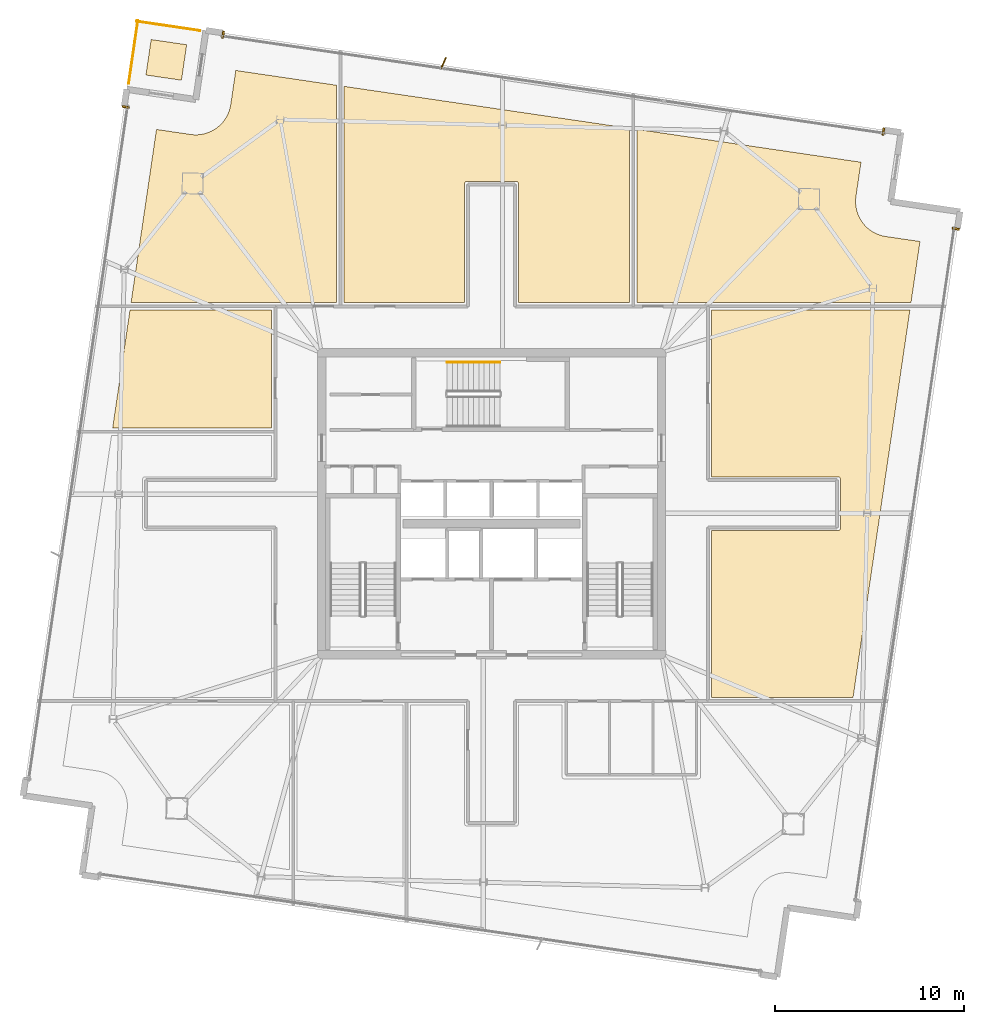
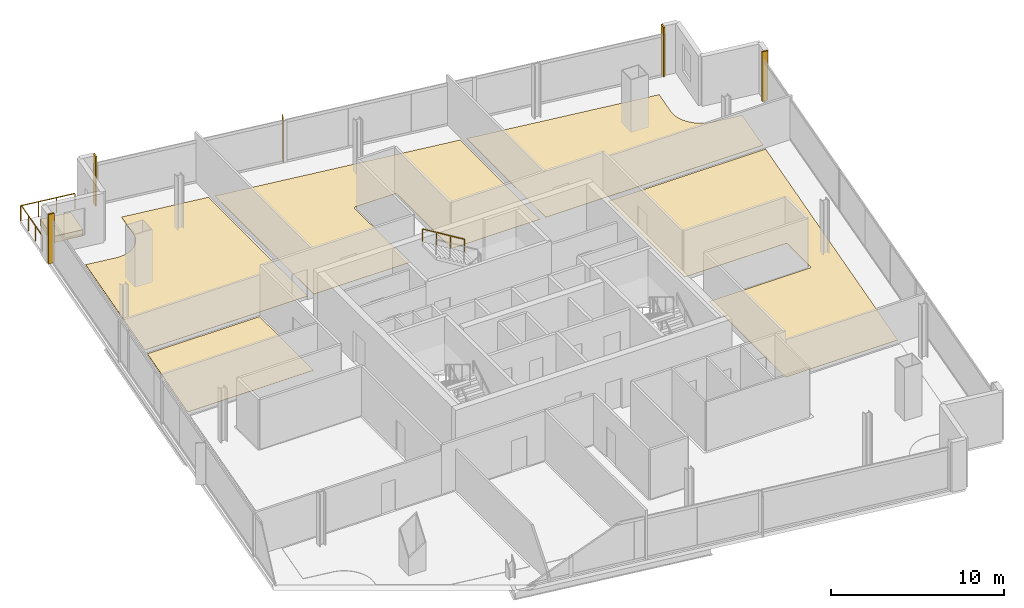
# One storey, part 22 of 22: 10 coverings, 3 railings, 1 shading device.
"""IFC4 building model written with IfcOpenShell, lengths in metres."""

from ifc_helpers import new_model, si_unit, direction, frame, origin, origin_2d, place, context, subcontext, project, spatial, polyline, rectangle, outline, extrude, source, transform, mapped, material, layer, layer_set, type_object, element, save


model = new_model("IFC4")

# Units and contexts
model_context = context("Model", 3, precision=1e-05, world=origin(), true_north=direction((0.0, 1.0)))
body_context = subcontext(model_context, "Body", "Model", "MODEL_VIEW")
ifc_project = project(units=[si_unit("LENGTHUNIT", "METRE"), si_unit("AREAUNIT", "SQUARE_METRE"), si_unit("VOLUMEUNIT", "CUBIC_METRE"), si_unit("PLANEANGLEUNIT", "RADIAN"), si_unit("MASSUNIT", "GRAM", prefix="KILO")], contexts=[model_context])

# Site, building, storey
site_placement = place(None, origin())
site = spatial("IfcSite", under=ifc_project, at=site_placement, CompositionType="ELEMENT")
building_placement = place(site_placement, origin())
building = spatial("IfcBuilding", under=site, at=building_placement, Name="Haldenkirk Collegiate Tower", CompositionType="ELEMENT")
storey_placement = place(building_placement, frame((0.0, 0.0, 302.699951171875)))
storey = spatial("IfcBuildingStorey", under=building, at=storey_placement, Name="L76", CompositionType="ELEMENT", Elevation=302.699951171875)

# Coverings
ifc_material_1 = material(Name="Polished collegiate terrazzo", Category="concrete")
ifc_layer_1 = layer(ifc_material_1, 0.02490234375)
ifc_layer_set_1 = layer_set([ifc_layer_1], Name="Polished collegiate terrazzo")
covering_type_1 = type_object("IfcCoveringType", Name="COV-FLOOR-TERRAZZO", PredefinedType="FLOORING", material=ifc_layer_set_1)
covering_1_placement = place(storey_placement, origin())
element("IfcCovering", 1, at=covering_1_placement, inside=storey, type_object=covering_type_1, Name="L76 academic room finish 04", PredefinedType="FLOORING", context=body_context, shape_type="SweptSolid", body=[
    extrude(outline(polyline([(20.0703125, 45.550537109375), (20.076171875, 45.5498046875), (20.2470703125, 45.533203125), (20.2587890625, 45.53271484375), (20.430419921875, 45.532958984375), (20.442138671875, 45.533447265625), (20.613037109375, 45.550537109375), (20.624755859375, 45.55224609375), (20.793212890625, 45.586181640625), (20.8046875, 45.589111328125), (20.968994140625, 45.63916015625), (20.97998046875, 45.64306640625), (21.138427734375, 45.708984375), (21.149169921875, 45.714111328125), (21.300537109375, 45.79541015625), (21.310546875, 45.801513671875), (21.453125, 45.89697265625), (21.462646484375, 45.904052734375), (21.59521484375, 46.01318359375), (21.60400390625, 46.02099609375), (21.725341796875, 46.142822265625), (21.733154296875, 46.151611328125), (21.841796875, 46.284423828125), (21.848876953125, 46.2939453125), (21.944091796875, 46.436767578125), (21.9501953125, 46.447021484375), (22.03076171875, 46.598388671875), (22.035888671875, 46.609130859375), (22.101318359375, 46.767822265625), (22.105224609375, 46.779052734375), (22.15478515625, 46.943359375), (22.15771484375, 46.954833984375), (22.19091796875, 47.123291015625), (22.19189453125, 47.129150390625), (22.457763671875, 48.939697265625), (27.800048828125, 48.155517578125), (27.800048828125, 36.64990234375), (16.914306640625, 36.64990234375), (18.259521484375, 45.816162109375), (20.0703125, 45.550537109375)])), origin(), (0.0, 0.0, 1.0), 0.025146484375),
])
covering_2_placement = place(storey_placement, origin())
element("IfcCovering", 2, at=covering_2_placement, inside=storey, type_object=covering_type_1, Name="L76 academic room finish 06", PredefinedType="FLOORING", context=body_context, shape_type="SweptSolid", body=[
    extrude(outline(polyline([(55.56298828125, 44.080810546875), (55.29736328125, 42.27001953125), (55.296630859375, 42.264404296875), (55.280029296875, 42.093505859375), (55.279541015625, 42.081787109375), (55.27978515625, 41.909912109375), (55.2802734375, 41.898193359375), (55.29736328125, 41.727294921875), (55.299072265625, 41.715576171875), (55.3330078125, 41.547119140625), (55.335693359375, 41.535888671875), (55.385986328125, 41.37158203125), (55.389892578125, 41.3603515625), (55.455810546875, 41.201904296875), (55.4609375, 41.19140625), (55.5419921875, 41.039794921875), (55.548095703125, 41.02978515625), (55.643798828125, 40.88720703125), (55.65087890625, 40.877685546875), (55.760009765625, 40.7451171875), (55.767822265625, 40.736328125), (55.8896484375, 40.614990234375), (55.898193359375, 40.607177734375), (56.03125, 40.49853515625), (56.040771484375, 40.491455078125), (56.18359375, 40.396240234375), (56.193603515625, 40.390380859375), (56.34521484375, 40.3095703125), (56.35595703125, 40.3046875), (56.5146484375, 40.239013671875), (56.52587890625, 40.235107421875), (56.690185546875, 40.185546875), (56.70166015625, 40.1826171875), (56.8701171875, 40.1494140625), (56.8759765625, 40.1484375), (58.6865234375, 39.8828125), (58.212158203125, 36.64990234375), (43.699951171875, 36.64990234375), (43.699951171875, 45.822021484375), (55.56298828125, 44.080810546875)])), origin(), (0.0, 0.0, 1.0), 0.025146484375),
])
covering_3_placement = place(storey_placement, origin())
element("IfcCovering", 3, at=covering_3_placement, inside=storey, type_object=covering_type_1, Name="L76 academic room finish 08", PredefinedType="FLOORING", context=body_context, shape_type="SweptSolid", body=[
    extrude(outline(polyline([(16.855712890625, 36.25), (24.35009765625, 36.25), (24.35009765625, 30.0), (15.938232421875, 30.0), (16.855712890625, 36.25)])), origin(), (0.0, 0.0, 1.0), 0.025146484375),
])
ifc_material_2 = material(Name="Engineered collegiate oak acoustic flooring", Category="wood")
ifc_layer_2 = layer(ifc_material_2, 0.02197265625)
ifc_layer_set_2 = layer_set([ifc_layer_2], Name="Engineered collegiate oak acoustic flooring")
covering_type_2 = type_object("IfcCoveringType", Name="COV-FLOOR-TIMBER", PredefinedType="FLOORING", material=ifc_layer_set_2)
covering_4_placement = place(storey_placement, origin())
element("IfcCovering", 4, at=covering_4_placement, inside=storey, type_object=covering_type_2, Name="L76 academic room finish 05", PredefinedType="FLOORING", context=body_context, shape_type="SweptSolid", body=[
    extrude(outline(polyline([(43.300048828125, 45.880615234375), (43.300048828125, 36.64990234375), (37.419921875, 36.64990234375), (37.419921875, 42.949951171875), (37.41943359375, 42.9619140625), (37.417724609375, 42.973388671875), (37.414794921875, 42.98486328125), (37.410888671875, 42.995849609375), (37.40576171875, 43.006591796875), (37.39990234375, 43.0166015625), (37.392822265625, 43.026123046875), (37.385009765625, 43.034912109375), (37.376220703125, 43.042724609375), (37.36669921875, 43.0498046875), (37.356689453125, 43.055908203125), (37.345947265625, 43.060791015625), (37.334716796875, 43.064697265625), (37.323486328125, 43.067626953125), (37.311767578125, 43.0693359375), (37.300048828125, 43.070068359375), (34.699951171875, 43.070068359375), (34.688232421875, 43.0693359375), (34.676513671875, 43.067626953125), (34.665283203125, 43.064697265625), (34.654052734375, 43.060791015625), (34.643310546875, 43.055908203125), (34.63330078125, 43.0498046875), (34.623779296875, 43.042724609375), (34.614990234375, 43.034912109375), (34.607177734375, 43.026123046875), (34.60009765625, 43.0166015625), (34.59423828125, 43.006591796875), (34.589111328125, 42.995849609375), (34.585205078125, 42.98486328125), (34.582275390625, 42.973388671875), (34.58056640625, 42.9619140625), (34.580078125, 42.949951171875), (34.580078125, 36.64990234375), (28.199951171875, 36.64990234375), (28.199951171875, 48.096923828125), (43.300048828125, 45.880615234375)])), origin(), (0.0, 0.0, 1.0), 0.02197265625),
])
covering_5_placement = place(storey_placement, origin())
element("IfcCovering", 5, at=covering_5_placement, inside=storey, type_object=covering_type_2, Name="L76 academic room finish 09", PredefinedType="FLOORING", context=body_context, shape_type="SweptSolid", body=[
    extrude(outline(polyline([(54.35009765625, 24.580078125), (54.36181640625, 24.58056640625), (54.373291015625, 24.582275390625), (54.384765625, 24.585205078125), (54.39599609375, 24.589111328125), (54.406494140625, 24.59423828125), (54.416748046875, 24.60009765625), (54.426025390625, 24.607177734375), (54.434814453125, 24.614990234375), (54.44287109375, 24.623779296875), (54.44970703125, 24.63330078125), (54.455810546875, 24.643310546875), (54.4609375, 24.654052734375), (54.46484375, 24.665283203125), (54.4677734375, 24.676513671875), (54.469482421875, 24.688232421875), (54.469970703125, 24.699951171875), (54.469970703125, 27.300048828125), (54.469482421875, 27.311767578125), (54.4677734375, 27.323486328125), (54.46484375, 27.334716796875), (54.4609375, 27.345947265625), (54.455810546875, 27.356689453125), (54.44970703125, 27.36669921875), (54.44287109375, 27.376220703125), (54.434814453125, 27.385009765625), (54.426025390625, 27.392822265625), (54.416748046875, 27.39990234375), (54.406494140625, 27.40576171875), (54.39599609375, 27.410888671875), (54.384765625, 27.414794921875), (54.373291015625, 27.417724609375), (54.36181640625, 27.41943359375), (54.35009765625, 27.419921875), (47.64990234375, 27.419921875), (47.64990234375, 36.25), (58.1533203125, 36.25), (55.144287109375, 15.75), (47.64990234375, 15.75), (47.64990234375, 24.580078125), (54.35009765625, 24.580078125)])), origin(), (0.0, 0.0, 1.0), 0.02197265625),
])
ifc_material_3 = material(Name="Precast concrete f'c 40 MPa", Category="concrete")
ifc_layer_3 = layer(ifc_material_3, 0.449951171875)
ifc_layer_set_3 = layer_set([ifc_layer_3], Name="Precast concrete f'c 40 MPa")
covering_type_3 = type_object("IfcCoveringType", Name="COV-PLANTER-450", PredefinedType="USERDEFINED", material=ifc_layer_set_3)
covering_6_placement = place(storey_placement, origin())
element("IfcCovering", 6, at=covering_6_placement, inside=storey, type_object=covering_type_3, Name="L76 planted garden planter bed", ObjectType="PLANTER", PredefinedType="USERDEFINED", context=body_context, shape_type="SweptSolid", body=[
    extrude(outline(polyline([(19.58203125, 48.421875), (17.7021484375, 48.69775390625), (17.97802734375, 50.57763671875), (19.85791015625, 50.3017578125), (19.58203125, 48.421875)])), origin(), (0.0, 0.0, 1.0), 0.449951171875),
])

# Railings
ifc_material_4 = material(Name="Painted architectural tubular steel", Category="steel")
railing_type_1 = type_object("IfcRailingType", Name="RLG-STAIR-HANDRAIL-900", PredefinedType="HANDRAIL", material=ifc_material_4)
railing_1_placement = place(storey_placement, frame((36.449951171875, 33.5, 2.04541015625)))
element("IfcRailing", 7, at=railing_1_placement, inside=storey, type_object=railing_type_1, Name="L76 ST-3 stair handrail 2", PredefinedType="HANDRAIL", context=body_context, shape_type="SweptSolid", body=[
    extrude(rectangle(XDim=0.048095703125, YDim=0.048095703125, at=origin_2d()), frame((0.0, 0.0, 0.8759765625), z_axis=(-0.854169791009, 0.0, 0.51999420009), x_axis=(0.0, -1.0, 0.0)), (0.0, 0.0, 1.0), 3.278076171875),
    extrude(rectangle(XDim=0.0419921875, YDim=0.0419921875, at=origin_2d()), origin(), (0.0, 0.0, 1.0), 0.851806640625),
    extrude(rectangle(XDim=0.0419921875, YDim=0.0419921875, at=origin_2d()), frame((-0.933349609375, 0.0, 0.568115234375)), (0.0, 0.0, 1.0), 0.851806640625),
    extrude(rectangle(XDim=0.0419921875, YDim=0.0419921875, at=origin_2d()), frame((-1.86669921875, 0.0, 1.136474609375)), (0.0, 0.0, 1.0), 0.851806640625),
    extrude(rectangle(XDim=0.0419921875, YDim=0.0419921875, at=origin_2d()), frame((-2.800048828125, 0.0, 1.70458984375)), (0.0, 0.0, 1.0), 0.851806640625),
])
ifc_material_5 = material(Name="Anodised architectural bronze aluminium", Category="aluminium")
railing_type_2 = type_object("IfcRailingType", Name="RLG-TERR-BALUSTRADE-1100", PredefinedType="BALUSTRADE", material=ifc_material_5)
railing_2_placement = place(storey_placement, frame((20.5537109375, 51.048583984375, 0.0)))
element("IfcRailing", 8, at=railing_2_placement, inside=storey, type_object=railing_type_2, Name="L76 terrace guard balustrade 2-1", PredefinedType="BALUSTRADE", context=body_context, shape_type="SweptSolid", body=[
    extrude(rectangle(XDim=0.048095703125, YDim=0.048095703125, at=origin_2d()), frame((0.0, 0.0, 1.076171875), z_axis=(-0.989403433535, 0.145192443703, 0.0), x_axis=(-0.145192443703, -0.989403433535, 0.0)), (0.0, 0.0, 1.0), 3.3798828125),
    extrude(rectangle(XDim=0.0419921875, YDim=0.0419921875, at=origin_2d()), origin(), (0.0, 0.0, 1.0), 1.052001953125),
    extrude(rectangle(XDim=0.0419921875, YDim=0.0419921875, at=origin_2d()), frame((-1.11474609375, 0.16357421875, 0.0)), (0.0, 0.0, 1.0), 1.052001953125),
    extrude(rectangle(XDim=0.0419921875, YDim=0.0419921875, at=origin_2d()), frame((-2.229248046875, 0.3271484375, 0.0)), (0.0, 0.0, 1.0), 1.052001953125),
    extrude(rectangle(XDim=0.0419921875, YDim=0.0419921875, at=origin_2d()), frame((-3.343994140625, 0.49072265625, 0.0)), (0.0, 0.0, 1.0), 1.052001953125),
])
railing_3_placement = place(storey_placement, frame((17.27783203125, 51.590087890625, 0.0)))
element("IfcRailing", 9, at=railing_3_placement, inside=storey, type_object=railing_type_2, Name="L76 terrace guard balustrade 3-1", PredefinedType="BALUSTRADE", context=body_context, shape_type="SweptSolid", body=[
    extrude(rectangle(XDim=0.048095703125, YDim=0.048095703125, at=origin_2d()), frame((0.0, 0.0, 1.076171875), z_axis=(-0.145252773913, -0.989394578351, 0.0), x_axis=(0.989394578351, -0.145252773913, 0.0)), (0.0, 0.0, 1.0), 3.380126953125),
    extrude(rectangle(XDim=0.0419921875, YDim=0.0419921875, at=origin_2d()), origin(), (0.0, 0.0, 1.0), 1.052001953125),
    extrude(rectangle(XDim=0.0419921875, YDim=0.0419921875, at=origin_2d()), frame((-0.16357421875, -1.11474609375, 0.0)), (0.0, 0.0, 1.0), 1.052001953125),
    extrude(rectangle(XDim=0.0419921875, YDim=0.0419921875, at=origin_2d()), frame((-0.327392578125, -2.2294921875, 0.0)), (0.0, 0.0, 1.0), 1.052001953125),
    extrude(rectangle(XDim=0.0419921875, YDim=0.0419921875, at=origin_2d()), frame((-0.490966796875, -3.34423828125, 0.0)), (0.0, 0.0, 1.0), 1.052001953125),
])

# Coverings
ifc_layer_4 = layer(ifc_material_5, 0.06005859375)
ifc_layer_set_4 = layer_set([ifc_layer_4], Name="Anodised architectural bronze aluminium")
covering_type_4 = type_object("IfcCoveringType", Name="COV-CLAD-BRONZE-60", PredefinedType="CLADDING", material=ifc_layer_set_4)
shared_shape_1 = source(origin(), body_context, "Body", "SweptSolid", [
    extrude(rectangle(XDim=0.10009765625, YDim=0.3798828125, at=origin_2d()), origin(), (0.0, 0.0, 1.0), 3.489990234375),
])
for number, where, z_axis, x_axis, name in (
    (10, (60.584228515625, 40.55419921875, 0.0), (0.0, 0.0, 1.0), (-0.145219670077, -0.989399437751, 0.0), "L76 recessed curtain-wall bronze jamb closure SJL"),
    (11, (21.7861328125, 50.83740234375, 0.0), (0.0, 0.0, 1.0), (0.989399437751, -0.145219670077, 0.0), "L76 recessed curtain-wall bronze jamb closure EJL"),
    (12, (56.75146484375, 45.705322265625, 0.0), (0.0, 0.0, 1.0), (0.989399437751, -0.145219670077, 0.0), "L76 recessed curtain-wall bronze jamb closure EJR"),
    (13, (16.635009765625, 47.004638671875, 0.0), (0.0, 0.0, 1.0), (0.145219670077, 0.989399437751, 0.0), "L76 recessed curtain-wall bronze jamb closure NJR"),
):
    element("IfcCovering", number, at=place(storey_placement, frame(where, z_axis=z_axis, x_axis=x_axis)), inside=storey, type_object=covering_type_4, Name=name, PredefinedType="CLADDING", context=body_context, shape_type="MappedRepresentation", body=[
        mapped(shared_shape_1, transform((0.0, 0.0, 0.0), x_axis=(1.0, 0.0, 0.0), y_axis=(0.0, 1.0, 0.0), z_axis=(0.0, 0.0, 1.0), scale=1.0)),
    ])

# Shading device
ifc_layer_5 = layer(ifc_material_5, 0.06494140625)
ifc_layer_set_5 = layer_set([ifc_layer_5], Name="Anodised architectural bronze aluminium")
shading_device_type = type_object("IfcShadingDeviceType", Name="SHD-FIN-BRONZE-620", PredefinedType="USERDEFINED", material=ifc_layer_set_5)
shared_shape_2 = source(origin(), body_context, "Body", "SweptSolid", [
    extrude(rectangle(XDim=0.6201171875, YDim=0.06494140625, at=origin_2d()), origin(), (0.0, 0.0, 1.0), 2.947998046875),
])
shading_device_placement = place(storey_placement, frame((33.461181640625, 49.3310546875, 0.0), z_axis=(0.0, 0.0, 1.0), x_axis=(0.412309551211, 0.911043815621, 0.0)))
element("IfcShadingDevice", 14, at=shading_device_placement, inside=storey, type_object=shading_device_type, Name="L76 folded bronze solar fin 1", ObjectType="FIN", PredefinedType="USERDEFINED", context=body_context, shape_type="MappedRepresentation", body=[
    mapped(shared_shape_2, transform((0.0, 0.0, 0.0), x_axis=(1.0, 0.0, 0.0), y_axis=(0.0, 1.0, 0.0), z_axis=(0.0, 0.0, 1.0), scale=1.0)),
])

save(model, "model.ifc")
